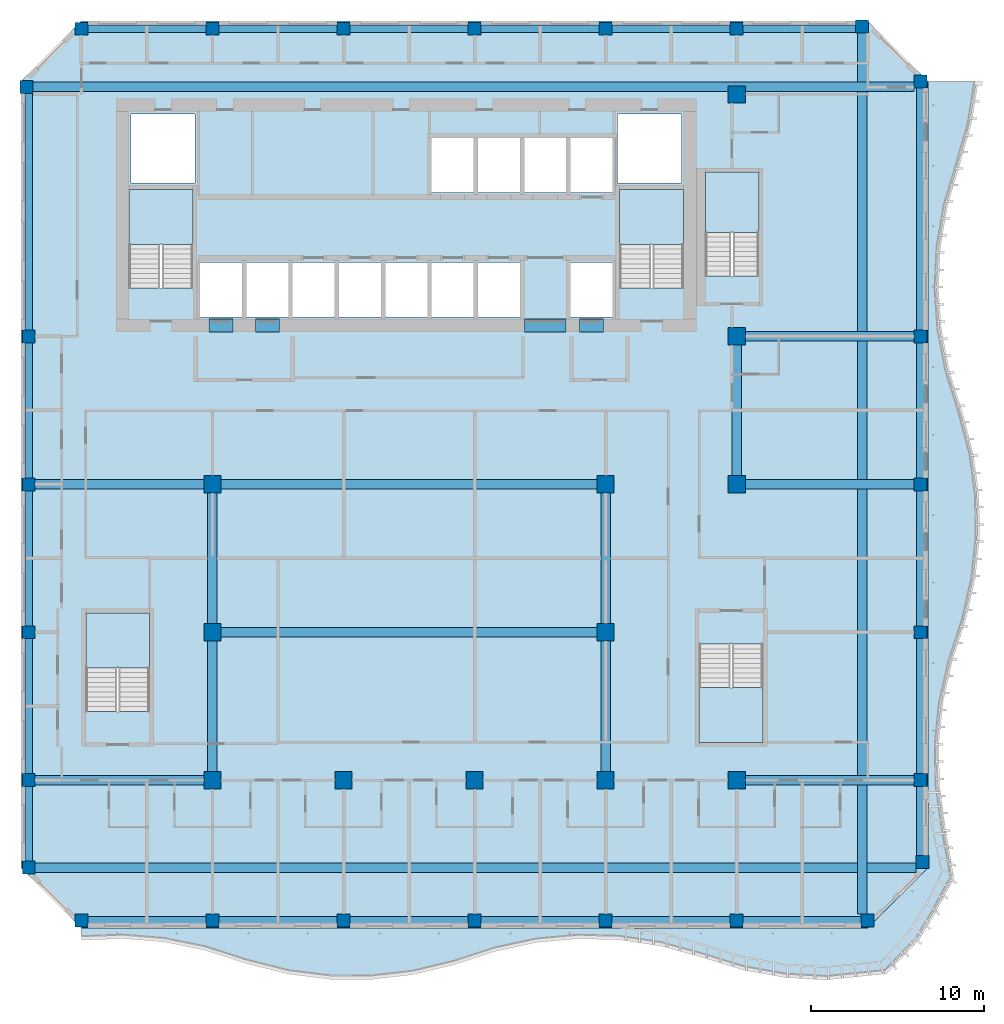
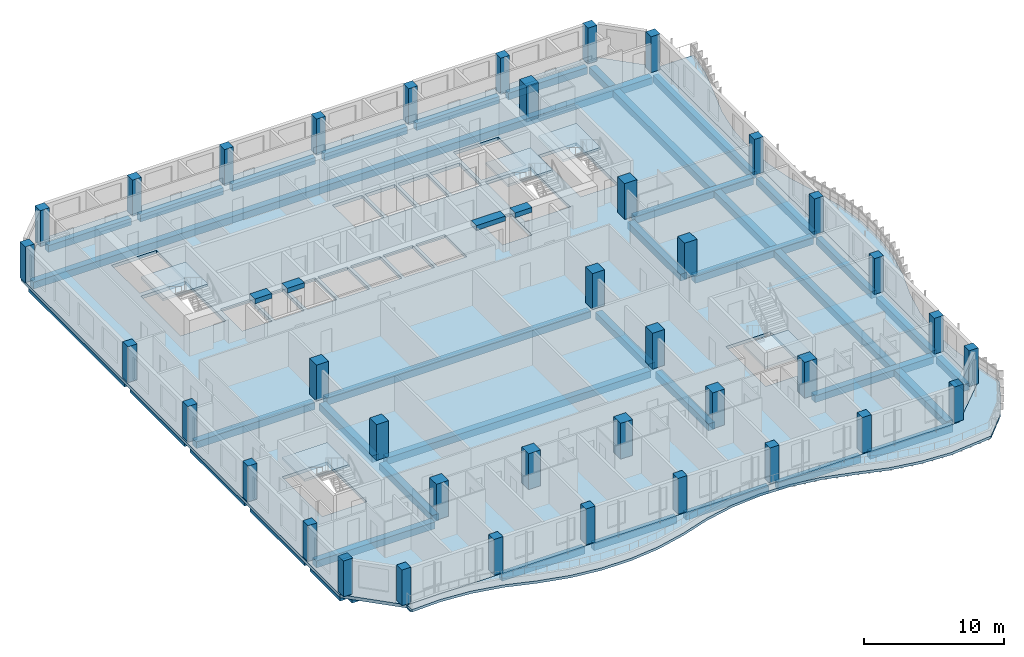
# One storey, part 1 of 22: 41 beams, 38 columns, 7 slabs, 5 elements without a shape of their own.
"""IFC4 building model written with IfcOpenShell, lengths in metres."""

from ifc_helpers import new_model, si_unit, direction, frame, origin, origin_2d, place, context, subcontext, project, spatial, polyline, rectangle, outline, extrude, source, transform, mapped, material, layer, layer_set, material_profile, profile_set, type_object, element, aggregate, save


model = new_model("IFC4")

# Units and contexts
model_context = context("Model", 3, precision=1e-05, world=origin(), true_north=direction((0.0, 1.0)))
body_context = subcontext(model_context, "Body", "Model", "MODEL_VIEW")
ifc_project = project(units=[si_unit("LENGTHUNIT", "METRE"), si_unit("AREAUNIT", "SQUARE_METRE"), si_unit("VOLUMEUNIT", "CUBIC_METRE"), si_unit("PLANEANGLEUNIT", "RADIAN"), si_unit("MASSUNIT", "GRAM", prefix="KILO")], contexts=[model_context])

# Site, building, storey
site_placement = place(None, origin())
site = spatial("IfcSite", under=ifc_project, at=site_placement, CompositionType="ELEMENT")
building_placement = place(site_placement, origin())
building = spatial("IfcBuilding", under=site, at=building_placement, Name="Kilnfold Tower and Market Hall", CompositionType="ELEMENT")
storey_placement = place(building_placement, frame((0.0, 0.0, 206.699951171875)))
storey = spatial("IfcBuildingStorey", under=building, at=storey_placement, Name="L50", CompositionType="ELEMENT", Elevation=206.699951171875)

# Columns
ifc_material_1 = material(Name="Concrete C70", Category="concrete")
ifc_material_profile_1 = material_profile(ifc_material_1, rectangle(XDim=0.75, YDim=0.75, at=origin_2d()), Name="RC 750x750")
ifc_profile_set_1 = profile_set([ifc_material_profile_1], Name="Concrete C70")
column_type_1 = type_object("IfcColumnType", Name="COLUMN 750X750 C70", PredefinedType="COLUMN", material=ifc_profile_set_1)
shared_shape_1 = source(origin(), body_context, "Body", "SweptSolid", [
    extrude(rectangle(XDim=0.75, YDim=0.75, at=origin_2d()), origin(), (0.0, 0.0, 1.0), 3.1201171875),
])
for number, where, z_axis, x_axis, name in (
    (1, (-20.931884765625, 22.431884765625, 0.0), (0.0, 0.0, 1.0), (1.0, 0.0, 0.0), "Column C-B6-1H"),
    (2, (-20.800048828125, -22.75, 0.0), (0.0, 0.0, 1.0), (1.0, 0.0, 0.0), "Column C-B6-1B"),
    (3, (-20.800048828125, -17.6875, 0.0), (0.0, 0.0, 1.0), (1.0, 0.0, 0.0), "Column C-B6-1C"),
    (4, (-20.800048828125, -9.125, 0.0), (0.0, 0.0, 1.0), (1.0, 0.0, 0.0), "Column C-B6-1D"),
    (5, (-20.800048828125, -0.5625, 0.0), (0.0, 0.0, 1.0), (1.0, 0.0, 0.0), "Column C-B6-1E"),
    (6, (-20.800048828125, 8.0, 0.0), (0.0, 0.0, 1.0), (1.0, 0.0, 0.0), "Column C-B6-1F"),
    (7, (-17.75, -25.800048828125, 0.0), (0.0, 0.0, 1.0), (1.0, 0.0, 0.0), "Column C-B6-2A"),
    (8, (-17.75, 25.800048828125, 0.0), (0.0, 0.0, 1.0), (1.0, 0.0, 0.0), "Column C-B6-2I"),
    (9, (-10.166748046875, -25.800048828125, 0.0), (0.0, 0.0, 1.0), (1.0, 0.0, 0.0), "Column C-B6-3A"),
    (10, (-10.166748046875, 25.800048828125, 0.0), (0.0, 0.0, 1.0), (1.0, 0.0, 0.0), "Column C-B6-3I"),
    (11, (-2.583251953125, -25.800048828125, 0.0), (0.0, 0.0, 1.0), (1.0, 0.0, 0.0), "Column C-B6-4A"),
    (12, (-2.583251953125, 25.800048828125, 0.0), (0.0, 0.0, 1.0), (1.0, 0.0, 0.0), "Column C-B6-4I"),
    (13, (5.0, -25.800048828125, 0.0), (0.0, 0.0, 1.0), (1.0, 0.0, 0.0), "Column C-B6-5A"),
    (14, (5.0, 25.800048828125, 0.0), (0.0, 0.0, 1.0), (1.0, 0.0, 0.0), "Column C-B6-5I"),
    (15, (12.583251953125, -25.800048828125, 0.0), (0.0, 0.0, 1.0), (1.0, 0.0, 0.0), "Column C-B6-6A"),
    (16, (12.583251953125, 25.800048828125, 0.0), (0.0, 0.0, 1.0), (1.0, 0.0, 0.0), "Column C-B6-6I"),
    (17, (20.166748046875, -25.800048828125, 0.0), (0.0, 0.0, 1.0), (1.0, 0.0, 0.0), "Column C-B6-7A"),
    (18, (20.166748046875, 25.800048828125, 0.0), (0.0, 0.0, 1.0), (1.0, 0.0, 0.0), "Column C-B6-7I"),
    (19, (27.431884765625, 25.931884765625, 0.0), (0.0, 0.0, 1.0), (1.0, 0.0, 0.0), "Column C-B6-8I"),
    (20, (27.75, -25.800048828125, 0.0), (0.0, 0.0, 1.0), (1.0, 0.0, 0.0), "Column C-B6-8A"),
    (21, (30.800048828125, -17.6875, 0.0), (0.0, 0.0, 1.0), (1.0, 0.0, 0.0), "Column C-B6-9C"),
    (22, (30.800048828125, -9.125, 0.0), (0.0, 0.0, 1.0), (1.0, 0.0, 0.0), "Column C-B6-9D"),
    (23, (30.800048828125, -0.5625, 0.0), (0.0, 0.0, 1.0), (1.0, 0.0, 0.0), "Column C-B6-9E"),
    (24, (30.800048828125, 8.0, 0.0), (0.0, 0.0, 1.0), (1.0, 0.0, 0.0), "Column C-B6-9F"),
    (25, (30.800048828125, 22.75, 0.0), (0.0, 0.0, 1.0), (1.0, 0.0, 0.0), "Column C-B6-9H"),
    (26, (30.931884765625, -22.431884765625, 0.0), (0.0, 0.0, 1.0), (1.0, 0.0, 0.0), "Column C-B6-9B"),
):
    element("IfcColumn", number, at=place(storey_placement, frame(where, z_axis=z_axis, x_axis=x_axis)), inside=storey, type_object=column_type_1, Name=name, PredefinedType="COLUMN", context=body_context, shape_type="MappedRepresentation", body=[
        mapped(shared_shape_1, transform((0.0, 0.0, 0.0))),
    ])
ifc_material_2 = material(Name="Concrete C70", Category="concrete")
ifc_material_profile_2 = material_profile(ifc_material_2, rectangle(XDim=1.0, YDim=1.0, at=origin_2d()), Name="RC 1000x1000")
ifc_profile_set_2 = profile_set([ifc_material_profile_2], Name="Concrete C70")
column_type_2 = type_object("IfcColumnType", Name="COLUMN 1000X1000 C70", PredefinedType="COLUMN", material=ifc_profile_set_2)
shared_shape_2 = source(origin(), body_context, "Body", "SweptSolid", [
    extrude(rectangle(XDim=1.0, YDim=1.0, at=origin_2d()), origin(), (0.0, 0.0, 1.0), 3.1201171875),
])
for number, where, z_axis, x_axis, name in (
    (27, (-10.166748046875, -17.6875, 0.0), (0.0, 0.0, 1.0), (1.0, 0.0, 0.0), "Column C-B6-3C"),
    (28, (-10.166748046875, -9.125, 0.0), (0.0, 0.0, 1.0), (1.0, 0.0, 0.0), "Column C-B6-3D"),
    (29, (-10.166748046875, -0.5625, 0.0), (0.0, 0.0, 1.0), (1.0, 0.0, 0.0), "Column C-B6-3E"),
    (30, (-2.583251953125, -17.6875, 0.0), (0.0, 0.0, 1.0), (1.0, 0.0, 0.0), "Column C-B6-4C"),
    (31, (5.0, -17.6875, 0.0), (0.0, 0.0, 1.0), (1.0, 0.0, 0.0), "Column C-B6-5C"),
    (32, (12.583251953125, -17.6875, 0.0), (0.0, 0.0, 1.0), (1.0, 0.0, 0.0), "Column C-B6-6C"),
    (33, (12.583251953125, -9.125, 0.0), (0.0, 0.0, 1.0), (1.0, 0.0, 0.0), "Column C-B6-6D"),
    (34, (12.583251953125, -0.5625, 0.0), (0.0, 0.0, 1.0), (1.0, 0.0, 0.0), "Column C-B6-6E"),
    (35, (20.166748046875, -17.6875, 0.0), (0.0, 0.0, 1.0), (1.0, 0.0, 0.0), "Column C-B6-7C"),
    (36, (20.166748046875, -0.5625, 0.0), (0.0, 0.0, 1.0), (1.0, 0.0, 0.0), "Column C-B6-7E"),
    (37, (20.166748046875, 8.0, 0.0), (0.0, 0.0, 1.0), (1.0, 0.0, 0.0), "Column C-B6-7F"),
    (38, (20.166748046875, 22.0, 0.0), (0.0, 0.0, 1.0), (1.0, 0.0, 0.0), "Column C-B6-7G"),
):
    element("IfcColumn", number, at=place(storey_placement, frame(where, z_axis=z_axis, x_axis=x_axis)), inside=storey, type_object=column_type_2, Name=name, PredefinedType="COLUMN", context=body_context, shape_type="MappedRepresentation", body=[
        mapped(shared_shape_2, transform((0.0, 0.0, 0.0))),
    ])

# Beams
ifc_material_3 = material(Name="Concrete C45", Category="concrete")
ifc_material_profile_3 = material_profile(ifc_material_3, rectangle(XDim=0.550048828125, YDim=0.60009765625, at=origin_2d()), Name="RC 550x600")
ifc_profile_set_3 = profile_set([ifc_material_profile_3], Name="Concrete C45")
beam_type_1 = type_object("IfcBeamType", Name="BEAM 550X600 C45", PredefinedType="BEAM", material=ifc_profile_set_3)
shared_shape_3 = source(origin(), body_context, "Body", "SweptSolid", [
    extrude(rectangle(XDim=0.550048828125, YDim=0.60009765625, at=origin_2d()), origin(), (0.0, 0.0, 1.0), 21.75),
])
for number, where, z_axis, x_axis, name in (
    (39, (-9.666748046875, -9.1201171875, -0.579833984375), (1.0, 0.0, 0.0), (0.0, 1.0, 0.0), "Beam BB600-B6.48"),
    (40, (-9.666748046875, -0.56005859375, -0.579833984375), (1.0, 0.0, 0.0), (0.0, 1.0, 0.0), "Beam BB600-B6.50"),
):
    element("IfcBeam", number, at=place(storey_placement, frame(where, z_axis=z_axis, x_axis=x_axis)), inside=storey, type_object=beam_type_1, Name=name, PredefinedType="BEAM", context=body_context, shape_type="MappedRepresentation", body=[
        mapped(shared_shape_3, transform((0.0, 0.0, 0.0))),
    ])
ifc_material_4 = material(Name="Concrete C60", Category="concrete")
ifc_material_profile_4 = material_profile(ifc_material_4, rectangle(XDim=0.75, YDim=0.419921875, at=origin_2d()), Name="RC 750x420")
ifc_profile_set_4 = profile_set([ifc_material_profile_4], Name="Concrete C60")
beam_type_2 = type_object("IfcBeamType", Name="COUPLING BEAM 750X420 C60", PredefinedType="BEAM", material=ifc_profile_set_4)
shared_shape_4 = source(origin(), body_context, "Body", "SweptSolid", [
    extrude(rectangle(XDim=0.75, YDim=0.419921875, at=origin_2d()), origin(), (0.0, 0.0, 1.0), 1.400146484375),
])
beam_1_placement = place(storey_placement, frame((-10.3701171875, 8.625, 2.91015625), z_axis=(1.0, 0.0, 0.0), x_axis=(0.0, 1.0, 0.0)))
element("IfcBeam", 41, at=beam_1_placement, inside=storey, type_object=beam_type_2, Name="Coupling beam CB420-60-CORE.37", PredefinedType="BEAM", context=body_context, shape_type="MappedRepresentation", body=[
    mapped(shared_shape_4, transform((0.0, 0.0, 0.0))),
])
shared_shape_5 = source(origin(), body_context, "Body", "SweptSolid", [
    extrude(rectangle(XDim=0.75, YDim=0.419921875, at=origin_2d()), origin(), (0.0, 0.0, 1.0), 1.39990234375),
])
for number, where, z_axis, x_axis, name in (
    (42, (-7.68994140625, 8.625, 2.91015625), (1.0, 0.0, 0.0), (0.0, 1.0, 0.0), "Coupling beam CB420-60-CORE.38"),
    (43, (11.070068359375, 8.625, 2.91015625), (1.0, 0.0, 0.0), (0.0, 1.0, 0.0), "Coupling beam CB420-60-CORE.40"),
):
    element("IfcBeam", number, at=place(storey_placement, frame(where, z_axis=z_axis, x_axis=x_axis)), inside=storey, type_object=beam_type_2, Name=name, PredefinedType="BEAM", context=body_context, shape_type="MappedRepresentation", body=[
        mapped(shared_shape_5, transform((0.0, 0.0, 0.0))),
    ])
shared_shape_6 = source(origin(), body_context, "Body", "SweptSolid", [
    extrude(rectangle(XDim=0.75, YDim=0.419921875, at=origin_2d()), origin(), (0.0, 0.0, 1.0), 2.400146484375),
])
beam_2_placement = place(storey_placement, frame((7.889892578125, 8.625, 2.91015625), z_axis=(1.0, 0.0, 0.0), x_axis=(0.0, 1.0, 0.0)))
element("IfcBeam", 44, at=beam_2_placement, inside=storey, type_object=beam_type_2, Name="Coupling beam CB420-60-CORE.39", PredefinedType="BEAM", context=body_context, shape_type="MappedRepresentation", body=[
    mapped(shared_shape_6, transform((0.0, 0.0, 0.0))),
])
ifc_material_5 = material(Name="Concrete C45", Category="concrete")
ifc_material_profile_5 = material_profile(ifc_material_5, rectangle(XDim=0.449951171875, YDim=0.60009765625, at=origin_2d()), Name="RC 450x600")
ifc_profile_set_5 = profile_set([ifc_material_profile_5], Name="Concrete C45")
beam_type_3 = type_object("IfcBeamType", Name="EDGE BEAM 450X600 C45", PredefinedType="BEAM", material=ifc_profile_set_5)
shared_shape_7 = source(origin(), body_context, "Body", "SweptSolid", [
    extrude(rectangle(XDim=0.449951171875, YDim=0.60009765625, at=origin_2d()), origin(), (0.0, 0.0, 1.0), 13.681884765625),
])
beam_3_placement = place(storey_placement, frame((-20.800048828125, 8.375, -0.579833984375), z_axis=(0.0, 1.0, 0.0), x_axis=(-1.0, 0.0, 0.0)))
element("IfcBeam", 45, at=beam_3_placement, inside=storey, type_object=beam_type_3, Name="Beam EB600-B6.33", PredefinedType="BEAM", context=body_context, shape_type="MappedRepresentation", body=[
    mapped(shared_shape_7, transform((0.0, 0.0, 0.0))),
])
shared_shape_8 = source(origin(), body_context, "Body", "SweptSolid", [
    extrude(rectangle(XDim=0.449951171875, YDim=0.60009765625, at=origin_2d()), origin(), (0.0, 0.0, 1.0), 6.833251953125),
])
for number, where, z_axis, x_axis, name in (
    (46, (-17.375, -25.800048828125, -0.579833984375), (1.0, 0.0, 0.0), (0.0, 1.0, 0.0), "Beam EB600-B6.39"),
    (47, (-2.208251953125, -25.800048828125, -0.579833984375), (1.0, 0.0, 0.0), (0.0, 1.0, 0.0), "Beam EB600-B6.41"),
    (48, (5.375, -25.800048828125, -0.579833984375), (1.0, 0.0, 0.0), (0.0, 1.0, 0.0), "Beam EB600-B6.42"),
    (49, (20.541748046875, -25.800048828125, -0.579833984375), (1.0, 0.0, 0.0), (0.0, 1.0, 0.0), "Beam EB600-B6.44"),
    (50, (-17.375, 25.800048828125, -0.579833984375), (1.0, 0.0, 0.0), (0.0, 1.0, 0.0), "Beam EB600-B6.54"),
    (51, (-2.208251953125, 25.800048828125, -0.579833984375), (1.0, 0.0, 0.0), (0.0, 1.0, 0.0), "Beam EB600-B6.56"),
    (52, (5.375, 25.800048828125, -0.579833984375), (1.0, 0.0, 0.0), (0.0, 1.0, 0.0), "Beam EB600-B6.57"),
):
    element("IfcBeam", number, at=place(storey_placement, frame(where, z_axis=z_axis, x_axis=x_axis)), inside=storey, type_object=beam_type_3, Name=name, PredefinedType="BEAM", context=body_context, shape_type="MappedRepresentation", body=[
        mapped(shared_shape_8, transform((0.0, 0.0, 0.0))),
    ])
shared_shape_9 = source(origin(), body_context, "Body", "SweptSolid", [
    extrude(rectangle(XDim=0.449951171875, YDim=0.60009765625, at=origin_2d()), origin(), (0.0, 0.0, 1.0), 6.83349609375),
])
for number, where, z_axis, x_axis, name in (
    (53, (-9.791748046875, -25.800048828125, -0.579833984375), (1.0, 0.0, 0.0), (0.0, 1.0, 0.0), "Beam EB600-B6.40"),
    (54, (12.958251953125, -25.800048828125, -0.579833984375), (1.0, 0.0, 0.0), (0.0, 1.0, 0.0), "Beam EB600-B6.43"),
    (55, (-9.791748046875, 25.800048828125, -0.579833984375), (1.0, 0.0, 0.0), (0.0, 1.0, 0.0), "Beam EB600-B6.55"),
    (56, (12.958251953125, 25.800048828125, -0.579833984375), (1.0, 0.0, 0.0), (0.0, 1.0, 0.0), "Beam EB600-B6.58"),
):
    element("IfcBeam", number, at=place(storey_placement, frame(where, z_axis=z_axis, x_axis=x_axis)), inside=storey, type_object=beam_type_3, Name=name, PredefinedType="BEAM", context=body_context, shape_type="MappedRepresentation", body=[
        mapped(shared_shape_9, transform((0.0, 0.0, 0.0))),
    ])
shared_shape_10 = source(origin(), body_context, "Body", "SweptSolid", [
    extrude(rectangle(XDim=0.550048828125, YDim=0.60009765625, at=origin_2d()), origin(), (0.0, 0.0, 1.0), 50.98193359375),
])
for number, where, z_axis, x_axis, name in (
    (57, (-20.425048828125, -22.75, -0.579833984375), (1.0, 0.0, 0.0), (0.0, 1.0, 0.0), "Beam BB600-B6.45"),
    (58, (-20.556884765625, 22.429931640625, -0.579833984375), (1.0, 0.0, 0.0), (0.0, 1.0, 0.0), "Beam BB600-B6.53"),
    (59, (27.429931640625, -25.425048828125, -0.579833984375), (0.0, 1.0, 0.0), (-1.0, 0.0, 0.0), "Beam BB600-B6.69"),
):
    element("IfcBeam", number, at=place(storey_placement, frame(where, z_axis=z_axis, x_axis=x_axis)), inside=storey, type_object=beam_type_1, Name=name, PredefinedType="BEAM", context=body_context, shape_type="MappedRepresentation", body=[
        mapped(shared_shape_10, transform((0.0, 0.0, 0.0))),
    ])
shared_shape_11 = source(origin(), body_context, "Body", "SweptSolid", [
    extrude(rectangle(XDim=0.550048828125, YDim=0.60009765625, at=origin_2d()), origin(), (0.0, 0.0, 1.0), 9.75830078125),
])
for number, where, z_axis, x_axis, name in (
    (60, (-20.425048828125, -17.68994140625, -0.579833984375), (1.0, 0.0, 0.0), (0.0, 1.0, 0.0), "Beam BB600-B6.46"),
    (61, (20.666748046875, -17.68994140625, -0.579833984375), (1.0, 0.0, 0.0), (0.0, 1.0, 0.0), "Beam BB600-B6.47"),
    (62, (-20.425048828125, -0.56005859375, -0.579833984375), (1.0, 0.0, 0.0), (0.0, 1.0, 0.0), "Beam BB600-B6.49"),
    (63, (20.666748046875, -0.56005859375, -0.579833984375), (1.0, 0.0, 0.0), (0.0, 1.0, 0.0), "Beam BB600-B6.51"),
    (64, (20.666748046875, 8.0, -0.579833984375), (1.0, 0.0, 0.0), (0.0, 1.0, 0.0), "Beam BB600-B6.52"),
):
    element("IfcBeam", number, at=place(storey_placement, frame(where, z_axis=z_axis, x_axis=x_axis)), inside=storey, type_object=beam_type_1, Name=name, PredefinedType="BEAM", context=body_context, shape_type="MappedRepresentation", body=[
        mapped(shared_shape_11, transform((0.0, 0.0, 0.0))),
    ])
shared_shape_12 = source(origin(), body_context, "Body", "SweptSolid", [
    extrude(rectangle(XDim=0.449951171875, YDim=0.60009765625, at=origin_2d()), origin(), (0.0, 0.0, 1.0), 6.51513671875),
])
beam_4_placement = place(storey_placement, frame((20.541748046875, 25.800048828125, -0.579833984375), z_axis=(1.0, 0.0, 0.0), x_axis=(0.0, 1.0, 0.0)))
element("IfcBeam", 65, at=beam_4_placement, inside=storey, type_object=beam_type_3, Name="Beam EB600-B6.59", PredefinedType="BEAM", context=body_context, shape_type="MappedRepresentation", body=[
    mapped(shared_shape_12, transform((0.0, 0.0, 0.0))),
])
shared_shape_13 = source(origin(), body_context, "Body", "SweptSolid", [
    extrude(rectangle(XDim=0.449951171875, YDim=0.60009765625, at=origin_2d()), origin(), (0.0, 0.0, 1.0), 4.3125),
])
beam_5_placement = place(storey_placement, frame((-20.800048828125, -22.375, -0.579833984375), z_axis=(0.0, 1.0, 0.0), x_axis=(-1.0, 0.0, 0.0)))
element("IfcBeam", 66, at=beam_5_placement, inside=storey, type_object=beam_type_3, Name="Beam EB600-B6.60", PredefinedType="BEAM", context=body_context, shape_type="MappedRepresentation", body=[
    mapped(shared_shape_13, transform((0.0, 0.0, 0.0))),
])
shared_shape_14 = source(origin(), body_context, "Body", "SweptSolid", [
    extrude(rectangle(XDim=0.449951171875, YDim=0.60009765625, at=origin_2d()), origin(), (0.0, 0.0, 1.0), 7.8125),
])
for number, where, z_axis, x_axis, name in (
    (67, (-20.800048828125, -17.3125, -0.579833984375), (0.0, 1.0, 0.0), (-1.0, 0.0, 0.0), "Beam EB600-B6.61"),
    (68, (-20.800048828125, -8.75, -0.579833984375), (0.0, 1.0, 0.0), (-1.0, 0.0, 0.0), "Beam EB600-B6.62"),
    (69, (-20.800048828125, -0.1875, -0.579833984375), (0.0, 1.0, 0.0), (-1.0, 0.0, 0.0), "Beam EB600-B6.63"),
    (70, (30.800048828125, -17.3125, -0.579833984375), (0.0, 1.0, 0.0), (-1.0, 0.0, 0.0), "Beam EB600-B6.71"),
    (71, (30.800048828125, -8.75, -0.579833984375), (0.0, 1.0, 0.0), (-1.0, 0.0, 0.0), "Beam EB600-B6.72"),
    (72, (30.800048828125, -0.1875, -0.579833984375), (0.0, 1.0, 0.0), (-1.0, 0.0, 0.0), "Beam EB600-B6.73"),
):
    element("IfcBeam", number, at=place(storey_placement, frame(where, z_axis=z_axis, x_axis=x_axis)), inside=storey, type_object=beam_type_3, Name=name, PredefinedType="BEAM", context=body_context, shape_type="MappedRepresentation", body=[
        mapped(shared_shape_14, transform((0.0, 0.0, 0.0))),
    ])
shared_shape_15 = source(origin(), body_context, "Body", "SweptSolid", [
    extrude(rectangle(XDim=0.550048828125, YDim=0.60009765625, at=origin_2d()), origin(), (0.0, 0.0, 1.0), 7.5625),
])
for number, where, z_axis, x_axis, name in (
    (73, (-10.169921875, -17.1875, -0.579833984375), (0.0, 1.0, 0.0), (-1.0, 0.0, 0.0), "Beam BB600-B6.64"),
    (74, (-10.169921875, -8.625, -0.579833984375), (0.0, 1.0, 0.0), (-1.0, 0.0, 0.0), "Beam BB600-B6.65"),
    (75, (12.580078125, -17.1875, -0.579833984375), (0.0, 1.0, 0.0), (-1.0, 0.0, 0.0), "Beam BB600-B6.66"),
    (76, (12.580078125, -8.625, -0.579833984375), (0.0, 1.0, 0.0), (-1.0, 0.0, 0.0), "Beam BB600-B6.67"),
    (77, (20.169921875, -0.0625, -0.579833984375), (0.0, 1.0, 0.0), (-1.0, 0.0, 0.0), "Beam BB600-B6.68"),
):
    element("IfcBeam", number, at=place(storey_placement, frame(where, z_axis=z_axis, x_axis=x_axis)), inside=storey, type_object=beam_type_1, Name=name, PredefinedType="BEAM", context=body_context, shape_type="MappedRepresentation", body=[
        mapped(shared_shape_15, transform((0.0, 0.0, 0.0))),
    ])
shared_shape_16 = source(origin(), body_context, "Body", "SweptSolid", [
    extrude(rectangle(XDim=0.449951171875, YDim=0.60009765625, at=origin_2d()), origin(), (0.0, 0.0, 1.0), 3.994384765625),
])
beam_6_placement = place(storey_placement, frame((30.800048828125, -22.056884765625, -0.579833984375), z_axis=(0.0, 1.0, 0.0), x_axis=(-1.0, 0.0, 0.0)))
element("IfcBeam", 78, at=beam_6_placement, inside=storey, type_object=beam_type_3, Name="Beam EB600-B6.70", PredefinedType="BEAM", context=body_context, shape_type="MappedRepresentation", body=[
    mapped(shared_shape_16, transform((0.0, 0.0, 0.0))),
])
shared_shape_17 = source(origin(), body_context, "Body", "SweptSolid", [
    extrude(rectangle(XDim=0.449951171875, YDim=0.60009765625, at=origin_2d()), origin(), (0.0, 0.0, 1.0), 14.0),
])
beam_7_placement = place(storey_placement, frame((30.800048828125, 8.375, -0.579833984375), z_axis=(0.0, 1.0, 0.0), x_axis=(-1.0, 0.0, 0.0)))
element("IfcBeam", 79, at=beam_7_placement, inside=storey, type_object=beam_type_3, Name="Beam EB600-B6.74", PredefinedType="BEAM", context=body_context, shape_type="MappedRepresentation", body=[
    mapped(shared_shape_17, transform((0.0, 0.0, 0.0))),
])

# Slabs
ifc_material_6 = material(Name="Concrete C45", Category="concrete")
ifc_layer_1 = layer(ifc_material_6, 0.280029296875)
ifc_layer_set_1 = layer_set([ifc_layer_1], Name="Concrete C45")
slab_type_1 = type_object("IfcSlabType", Name="FLOOR SLAB 280", PredefinedType="FLOOR", material=ifc_layer_set_1)
shared_shape_18 = source(origin(), body_context, "Body", "SweptSolid", [
    extrude(outline(polyline([(-17.75, -26.25), (27.75, -26.25), (31.25, -22.75), (31.25, 22.75), (27.75, 26.25), (-17.75, 26.25), (-21.25, 22.75), (-21.25, -22.75), (-17.75, -26.25)]), holes=[polyline([(-13.800537109375, -13.699462890625), (-17.49951171875, -13.699462890625), (-17.49951171875, -8.00048828125), (-13.800537109375, -8.00048828125), (-13.800537109375, -13.699462890625)]), polyline([(-14.99951171875, 10.800537109375), (-14.99951171875, 16.49951171875), (-11.300537109375, 16.49951171875), (-11.300537109375, 10.800537109375), (-14.99951171875, 10.800537109375)]), polyline([(-11.175048828125, 16.875), (-14.875, 16.875), (-14.875, 20.875), (-11.175048828125, 20.875), (-11.175048828125, 16.875)]), polyline([(-8.455078125, 9.125), (-10.885009765625, 9.125), (-10.885009765625, 12.27490234375), (-8.455078125, 12.27490234375), (-8.455078125, 9.125)]), polyline([(-5.77490234375, 9.125), (-8.205078125, 9.125), (-8.205078125, 12.27490234375), (-5.77490234375, 12.27490234375), (-5.77490234375, 9.125)]), polyline([(-3.094970703125, 9.125), (-5.52490234375, 9.125), (-5.52490234375, 12.27490234375), (-3.094970703125, 12.27490234375), (-3.094970703125, 9.125)]), polyline([(-0.4150390625, 9.125), (-2.844970703125, 9.125), (-2.844970703125, 12.27490234375), (-0.4150390625, 12.27490234375), (-0.4150390625, 9.125)]), polyline([(2.264892578125, 9.125), (-0.1650390625, 9.125), (-0.1650390625, 12.27490234375), (2.264892578125, 12.27490234375), (2.264892578125, 9.125)]), polyline([(4.945068359375, 9.125), (2.514892578125, 9.125), (2.514892578125, 12.27490234375), (4.945068359375, 12.27490234375), (4.945068359375, 9.125)]), polyline([(2.514892578125, 16.324951171875), (2.514892578125, 19.47509765625), (4.945068359375, 19.47509765625), (4.945068359375, 16.324951171875), (2.514892578125, 16.324951171875)]), polyline([(7.625, 9.125), (5.195068359375, 9.125), (5.195068359375, 12.27490234375), (7.625, 12.27490234375), (7.625, 9.125)]), polyline([(7.625, 16.324951171875), (5.195068359375, 16.324951171875), (5.195068359375, 19.47509765625), (7.625, 19.47509765625), (7.625, 16.324951171875)]), polyline([(10.304931640625, 16.324951171875), (7.875, 16.324951171875), (7.875, 19.47509765625), (10.304931640625, 19.47509765625), (10.304931640625, 16.324951171875)]), polyline([(10.554931640625, 9.125), (10.554931640625, 12.27490234375), (12.985107421875, 12.27490234375), (12.985107421875, 9.125), (10.554931640625, 9.125)]), polyline([(10.554931640625, 16.324951171875), (10.554931640625, 19.47509765625), (12.985107421875, 19.47509765625), (12.985107421875, 16.324951171875), (10.554931640625, 16.324951171875)]), polyline([(13.27490234375, 16.875), (13.27490234375, 20.875), (16.97509765625, 20.875), (16.97509765625, 16.875), (13.27490234375, 16.875)]), polyline([(13.400390625, 10.800537109375), (13.400390625, 16.49951171875), (17.099609375, 16.49951171875), (17.099609375, 10.800537109375), (13.400390625, 10.800537109375)]), polyline([(18.00048828125, -9.800537109375), (21.699462890625, -9.800537109375), (21.699462890625, -15.49951171875), (18.00048828125, -15.49951171875), (18.00048828125, -9.800537109375)]), polyline([(21.449462890625, 11.50048828125), (18.3505859375, 11.50048828125), (18.3505859375, 17.49951171875), (21.449462890625, 17.49951171875), (21.449462890625, 11.50048828125)])]), origin(), (0.0, 0.0, 1.0), 0.280029296875),
])
slab_1_placement = place(storey_placement, frame((0.0, 0.0, -0.280029296875)))
element("IfcSlab", 80, at=slab_1_placement, inside=storey, type_object=slab_type_1, Name="Floor slab L50", PredefinedType="FLOOR", context=body_context, shape_type="MappedRepresentation", body=[
    mapped(shared_shape_18, transform((0.0, 0.0, 0.0))),
])
ifc_material_7 = material(Name="Concrete C40/50", Category="concrete")
ifc_layer_2 = layer(ifc_material_7, 0.219970703125)
ifc_layer_set_2 = layer_set([ifc_layer_2], Name="Concrete C40/50")
slab_type_2 = type_object("IfcSlabType", Name="BALCONY SLAB 220", PredefinedType="FLOOR", material=ifc_layer_set_2)
shared_shape_19 = source(origin(), body_context, "Body", "SweptSolid", [
    extrude(outline(polyline([(-17.75, -26.25), (27.75, -26.25), (31.25, -22.75), (31.25, 22.75), (34.15478515625, 22.75), (33.774658203125, 20.355224609375), (33.087890625, 17.96044921875), (32.373291015625, 15.56591796875), (31.967041015625, 13.171142578125), (31.851318359375, 10.7763671875), (32.020751953125, 8.381591796875), (32.483154296875, 5.98681640625), (33.241455078125, 3.592041015625), (33.86865234375, 1.197509765625), (34.193603515625, -1.197509765625), (34.23046875, -3.592041015625), (33.9814453125, -5.98681640625), (33.43505859375, -8.381591796875), (32.653564453125, -10.7763671875), (32.1123046875, -13.171142578125), (31.867919921875, -15.56591796875), (31.909423828125, -17.96044921875), (32.239013671875, -20.355224609375), (32.747802734375, -23.370361328125), (31.619140625, -25.452392578125), (30.74462890625, -26.9111328125), (28.84228515625, -28.886962890625), (25.355224609375, -29.25), (22.96044921875, -29.1103515625), (20.56591796875, -28.679443359375), (18.171142578125, -27.942626953125), (15.7763671875, -27.282470703125), (13.381591796875, -26.927001953125), (10.98681640625, -26.860107421875), (8.592041015625, -27.078857421875), (6.197509765625, -27.59326171875), (3.802490234375, -28.37158203125), (1.407958984375, -28.9453125), (-0.98681640625, -29.22021484375), (-3.381591796875, -29.208251953125), (-5.7763671875, -28.9091796875), (-8.171142578125, -28.309814453125), (-10.56591796875, -27.538818359375), (-12.96044921875, -27.0498046875), (-15.355224609375, -26.854736328125), (-17.75, -26.9453125), (-17.75, -26.25)])), origin(), (0.0, 0.0, 1.0), 0.219970703125),
])
slab_2_placement = place(storey_placement, frame((0.0, 0.0, -0.219970703125)))
element("IfcSlab", 81, at=slab_2_placement, inside=storey, type_object=slab_type_2, Name="Balcony slab L50", PredefinedType="FLOOR", context=body_context, shape_type="MappedRepresentation", body=[
    mapped(shared_shape_19, transform((0.0, 0.0, 0.0))),
])

# Stair, slab
ifc_material_8 = material(Name="Concrete C40/50", Category="concrete")
stair_type_1 = type_object("IfcStairType", Name="CORE STAIR 1800", PredefinedType="HALF_TURN_STAIR", material=ifc_material_8)
stair_1_placement = place(storey_placement, origin())
stair_1 = element("IfcStair", 82, at=stair_1_placement, inside=storey, type_object=stair_type_1, Name="L50 ST1", PredefinedType="HALF_TURN_STAIR")
ifc_material_9 = material(Name="Concrete C40/50", Category="concrete")
ifc_layer_3 = layer(ifc_material_9, 0.199951171875)
ifc_layer_set_3 = layer_set([ifc_layer_3], Name="Concrete C40/50")
slab_type_3 = type_object("IfcSlabType", Name="CORE STAIR LANDING 200", PredefinedType="LANDING", material=ifc_layer_set_3)
shared_shape_20 = source(origin(), body_context, "Body", "SweptSolid", [
    extrude(outline(polyline([(-11.300048828125, 13.320068359375), (-11.300048828125, 16.5), (-15.0, 16.5), (-15.0, 13.320068359375), (-11.300048828125, 13.320068359375)])), origin(), (0.0, 0.0, 1.0), 0.199951171875),
])
slab_3_placement = place(storey_placement, frame((0.0, 0.0, 1.5)))
slab_3 = element("IfcSlab", 83, at=slab_3_placement, type_object=slab_type_3, Name="ST1 landing 1", PredefinedType="LANDING", context=body_context, shape_type="MappedRepresentation", body=[
    mapped(shared_shape_20, transform((0.0, 0.0, 0.0))),
])
aggregate(stair_1, [slab_3])

stair_2_placement = place(storey_placement, origin())
stair_2 = element("IfcStair", 84, at=stair_2_placement, inside=storey, type_object=stair_type_1, Name="L50 ST2", PredefinedType="HALF_TURN_STAIR")
shared_shape_21 = source(origin(), body_context, "Body", "SweptSolid", [
    extrude(outline(polyline([(17.10009765625, 13.320068359375), (17.10009765625, 16.5), (13.39990234375, 16.5), (13.39990234375, 13.320068359375), (17.10009765625, 13.320068359375)])), origin(), (0.0, 0.0, 1.0), 0.199951171875),
])
slab_4_placement = place(storey_placement, frame((0.0, 0.0, 1.5)))
slab_4 = element("IfcSlab", 85, at=slab_4_placement, type_object=slab_type_3, Name="ST2 landing 1", PredefinedType="LANDING", context=body_context, shape_type="MappedRepresentation", body=[
    mapped(shared_shape_21, transform((0.0, 0.0, 0.0))),
])
aggregate(stair_2, [slab_4])

stair_3_placement = place(storey_placement, origin())
stair_3 = element("IfcStair", 86, at=stair_3_placement, inside=storey, type_object=stair_type_1, Name="L50 ST3", PredefinedType="HALF_TURN_STAIR")
shared_shape_22 = source(origin(), body_context, "Body", "SweptSolid", [
    extrude(outline(polyline([(-13.800048828125, -11.179931640625), (-13.800048828125, -8.0), (-17.5, -8.0), (-17.5, -11.179931640625), (-13.800048828125, -11.179931640625)])), origin(), (0.0, 0.0, 1.0), 0.199951171875),
])
slab_5_placement = place(storey_placement, frame((0.0, 0.0, 1.5)))
slab_5 = element("IfcSlab", 87, at=slab_5_placement, type_object=slab_type_3, Name="ST3 landing 1", PredefinedType="LANDING", context=body_context, shape_type="MappedRepresentation", body=[
    mapped(shared_shape_22, transform((0.0, 0.0, 0.0))),
])
aggregate(stair_3, [slab_5])

stair_4_placement = place(storey_placement, origin())
stair_4 = element("IfcStair", 88, at=stair_4_placement, inside=storey, type_object=stair_type_1, Name="L50 ST4", PredefinedType="HALF_TURN_STAIR")
shared_shape_23 = source(origin(), body_context, "Body", "SweptSolid", [
    extrude(outline(polyline([(18.0, -12.320068359375), (18.0, -15.5), (21.699951171875, -15.5), (21.699951171875, -12.320068359375), (18.0, -12.320068359375)])), origin(), (0.0, 0.0, 1.0), 0.199951171875),
])
slab_6_placement = place(storey_placement, frame((0.0, 0.0, 1.5)))
slab_6 = element("IfcSlab", 89, at=slab_6_placement, type_object=slab_type_3, Name="ST4 landing 1", PredefinedType="LANDING", context=body_context, shape_type="MappedRepresentation", body=[
    mapped(shared_shape_23, transform((0.0, 0.0, 0.0))),
])
aggregate(stair_4, [slab_6])

ifc_material_10 = material(Name="Concrete C40/50", Category="concrete")
stair_type_2 = type_object("IfcStairType", Name="CORE STAIR 1500", PredefinedType="HALF_TURN_STAIR", material=ifc_material_10)
stair_5_placement = place(storey_placement, origin())
stair_5 = element("IfcStair", 90, at=stair_5_placement, inside=storey, type_object=stair_type_2, Name="L50 ST5", PredefinedType="HALF_TURN_STAIR")
shared_shape_24 = source(origin(), body_context, "Body", "SweptSolid", [
    extrude(outline(polyline([(21.449951171875, 14.02001953125), (21.449951171875, 17.5), (18.35009765625, 17.5), (18.35009765625, 14.02001953125), (21.449951171875, 14.02001953125)])), origin(), (0.0, 0.0, 1.0), 0.199951171875),
])
slab_7_placement = place(storey_placement, frame((0.0, 0.0, 1.5)))
slab_7 = element("IfcSlab", 91, at=slab_7_placement, type_object=slab_type_3, Name="ST5 landing 1", PredefinedType="LANDING", context=body_context, shape_type="MappedRepresentation", body=[
    mapped(shared_shape_24, transform((0.0, 0.0, 0.0))),
])
aggregate(stair_5, [slab_7])

save(model, "model.ifc")
